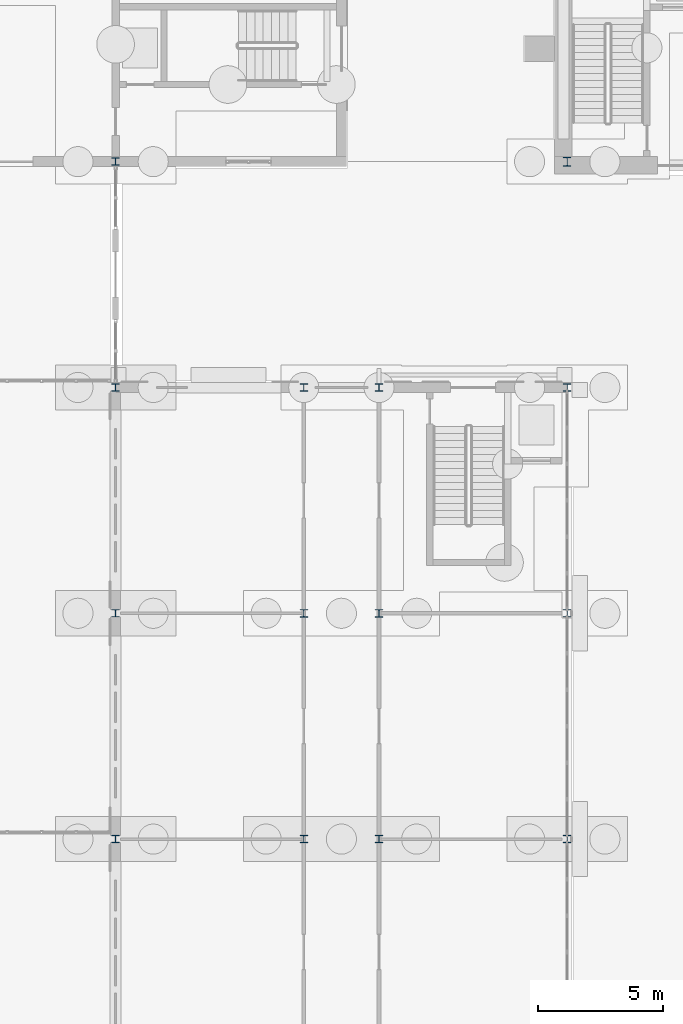
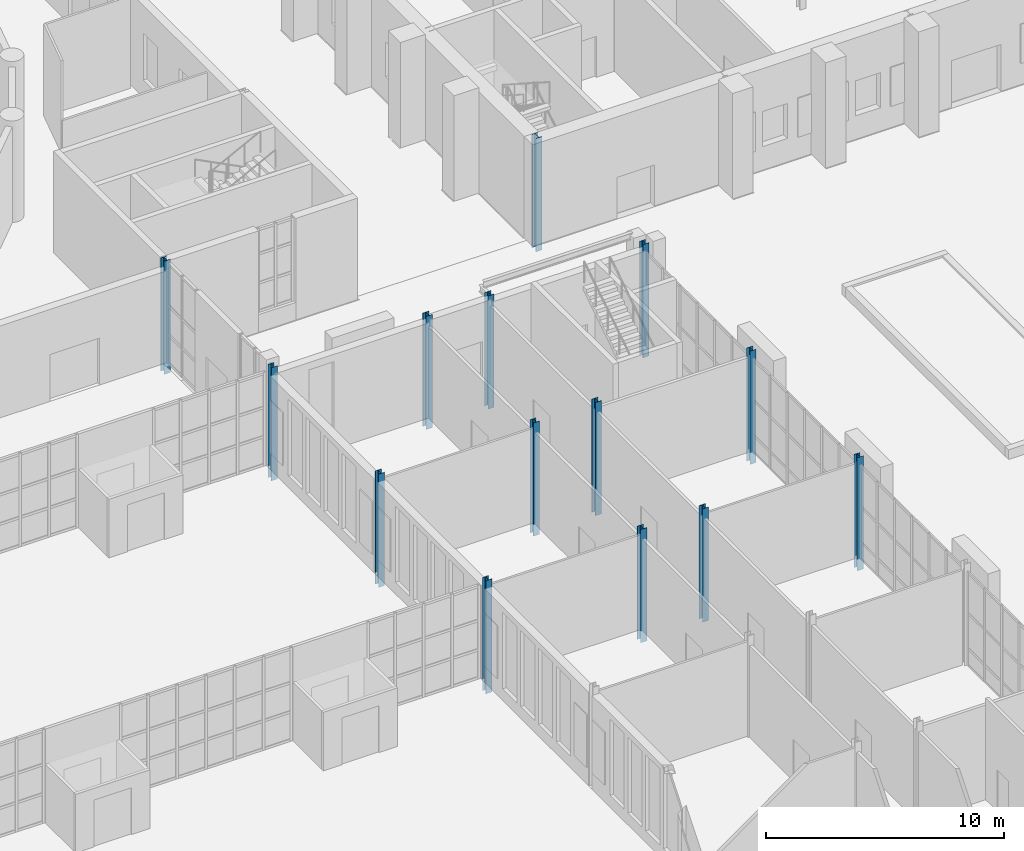
# One storey, part 23 of 168: 14 columns.
"""IFC4 building model written with IfcOpenShell, lengths in metres."""

from ifc_helpers import new_model, si_unit, direction, frame, origin, origin_2d, place, context, subcontext, project, spatial, i_section, extrude, material, material_profile, profile_set, type_object, element, save


model = new_model("IFC4")

# Units and contexts
model_context = context("Model", 3, precision=1e-05, world=origin(), true_north=direction((0.0, 1.0)))
body_context = subcontext(model_context, "Body", "Model", "MODEL_VIEW")
ifc_project = project(units=[si_unit("LENGTHUNIT", "METRE"), si_unit("AREAUNIT", "SQUARE_METRE"), si_unit("VOLUMEUNIT", "CUBIC_METRE"), si_unit("PLANEANGLEUNIT", "RADIAN"), si_unit("MASSUNIT", "GRAM", prefix="KILO")], contexts=[model_context])

# Site, building, storey
site_placement = place(None, origin())
site = spatial("IfcSite", under=ifc_project, at=site_placement, CompositionType="ELEMENT")
building_placement = place(site_placement, origin())
building = spatial("IfcBuilding", under=site, at=building_placement, Name="Golden Quay Civic Hall", CompositionType="ELEMENT")
storey_placement = place(building_placement, origin())
storey = spatial("IfcBuildingStorey", under=building, at=storey_placement, Name="L00", CompositionType="ELEMENT", Elevation=0.0)

# Columns
ifc_material_1 = material(Name="Steel S355", Category="steel")
ifc_material_profile_1 = material_profile(ifc_material_1, i_section(OverallWidth=0.300048828125, OverallDepth=0.2900390625, WebThickness=0.008544921875, FlangeThickness=0.013916015625, FilletRadius=0.027099609375, at=origin_2d()), Name="HEA 300")
ifc_profile_set_1 = profile_set([ifc_material_profile_1], Name="Steel S355")
column_type_1 = type_object("IfcColumnType", Name="Steel column HEA 300", PredefinedType="COLUMN", material=ifc_profile_set_1)
for number, where, z_axis, x_axis, name in (
    (1, (99.0, 36.0, -0.60009765625), (0.0, 0.0, 1.0), (1.0, 0.0, 0.0), "Column 99/36 L00"),
    (2, (99.0, 45.0, -0.60009765625), (0.0, 0.0, 1.0), (1.0, 0.0, 0.0), "Column 99/45 L00"),
    (3, (99.0, 54.0, -0.60009765625), (0.0, 0.0, 1.0), (1.0, 0.0, 0.0), "Column 99/54 L00"),
    (4, (106.5, 54.0, -0.60009765625), (0.0, 0.0, 1.0), (1.0, 0.0, 0.0), "Column 106.5/54 L00"),
    (5, (109.5, 54.0, -0.60009765625), (0.0, 0.0, 1.0), (1.0, 0.0, 0.0), "Column 109.5/54 L00"),
    (6, (117.0, 36.0, -0.60009765625), (0.0, 0.0, 1.0), (1.0, 0.0, 0.0), "Column 117/36 L00"),
    (7, (117.0, 45.0, -0.60009765625), (0.0, 0.0, 1.0), (1.0, 0.0, 0.0), "Column 117/45 L00"),
    (8, (117.0, 54.0, -0.60009765625), (0.0, 0.0, 1.0), (1.0, 0.0, 0.0), "Column 117/54 L00"),
):
    element("IfcColumn", number, at=place(storey_placement, frame(where, z_axis=z_axis, x_axis=x_axis)), inside=storey, type_object=column_type_1, Name=name, PredefinedType="COLUMN", context=body_context, shape_type="SweptSolid", body=[
        extrude(i_section(OverallWidth=0.300048828125, OverallDepth=0.2900390625, WebThickness=0.008544921875, FlangeThickness=0.013916015625, FilletRadius=0.027099609375, at=origin_2d()), origin(), (0.0, 0.0, 1.0), 5.800048828125),
    ])
ifc_material_2 = material(Name="Steel S355", Category="steel")
ifc_material_profile_2 = material_profile(ifc_material_2, i_section(OverallWidth=0.300048828125, OverallDepth=0.300048828125, WebThickness=0.010986328125, FlangeThickness=0.01904296875, FilletRadius=0.027099609375, at=origin_2d()), Name="HEB 300")
ifc_profile_set_2 = profile_set([ifc_material_profile_2], Name="Steel S355")
column_type_2 = type_object("IfcColumnType", Name="Steel column HEB 300", PredefinedType="COLUMN", material=ifc_profile_set_2)
for number, where, z_axis, x_axis, name in (
    (9, (106.5, 36.0, -0.60009765625), (0.0, 0.0, 1.0), (1.0, 0.0, 0.0), "Column 106.5/36 L00"),
    (10, (106.5, 45.0, -0.60009765625), (0.0, 0.0, 1.0), (1.0, 0.0, 0.0), "Column 106.5/45 L00"),
    (11, (109.5, 36.0, -0.60009765625), (0.0, 0.0, 1.0), (1.0, 0.0, 0.0), "Column 109.5/36 L00"),
    (12, (109.5, 45.0, -0.60009765625), (0.0, 0.0, 1.0), (1.0, 0.0, 0.0), "Column 109.5/45 L00"),
    (13, (99.0, 63.0, -0.60009765625), (0.0, 0.0, 1.0), (1.0, 0.0, 0.0), "Base column 10"),
):
    element("IfcColumn", number, at=place(storey_placement, frame(where, z_axis=z_axis, x_axis=x_axis)), inside=storey, type_object=column_type_2, Name=name, PredefinedType="COLUMN", context=body_context, shape_type="SweptSolid", body=[
        extrude(i_section(OverallWidth=0.300048828125, OverallDepth=0.300048828125, WebThickness=0.010986328125, FlangeThickness=0.01904296875, FilletRadius=0.027099609375, at=origin_2d()), origin(), (0.0, 0.0, 1.0), 5.800048828125),
    ])
ifc_material_3 = material(Name="Steel S355", Category="steel")
ifc_material_profile_3 = material_profile(ifc_material_3, i_section(OverallWidth=0.300048828125, OverallDepth=0.360107421875, WebThickness=0.012451171875, FlangeThickness=0.0224609375, FilletRadius=0.027099609375, at=origin_2d()), Name="HEB 360")
ifc_profile_set_3 = profile_set([ifc_material_profile_3], Name="Steel S355")
column_type_3 = type_object("IfcColumnType", Name="Steel column HEB 360", PredefinedType="COLUMN", material=ifc_profile_set_3)
column_placement = place(storey_placement, frame((117.0, 63.0, -0.60009765625), z_axis=(0.0, 0.0, 1.0), x_axis=(1.0, 0.0, 0.0)))
element("IfcColumn", 14, at=column_placement, inside=storey, type_object=column_type_3, Name="L00 column 117/63", PredefinedType="COLUMN", context=body_context, shape_type="SweptSolid", body=[
    extrude(i_section(OverallWidth=0.300048828125, OverallDepth=0.360107421875, WebThickness=0.012451171875, FlangeThickness=0.0224609375, FilletRadius=0.027099609375, at=origin_2d()), origin(), (0.0, 0.0, 1.0), 5.800048828125),
])

save(model, "model.ifc")
